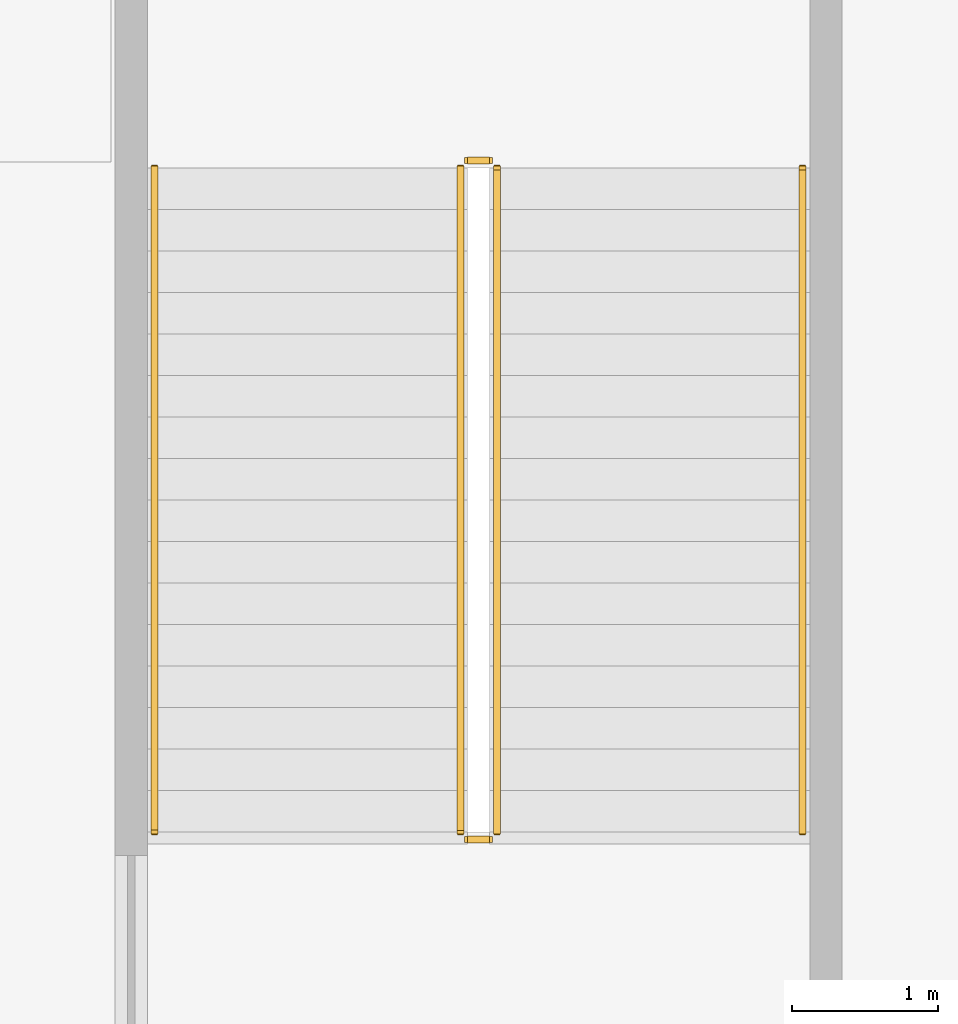
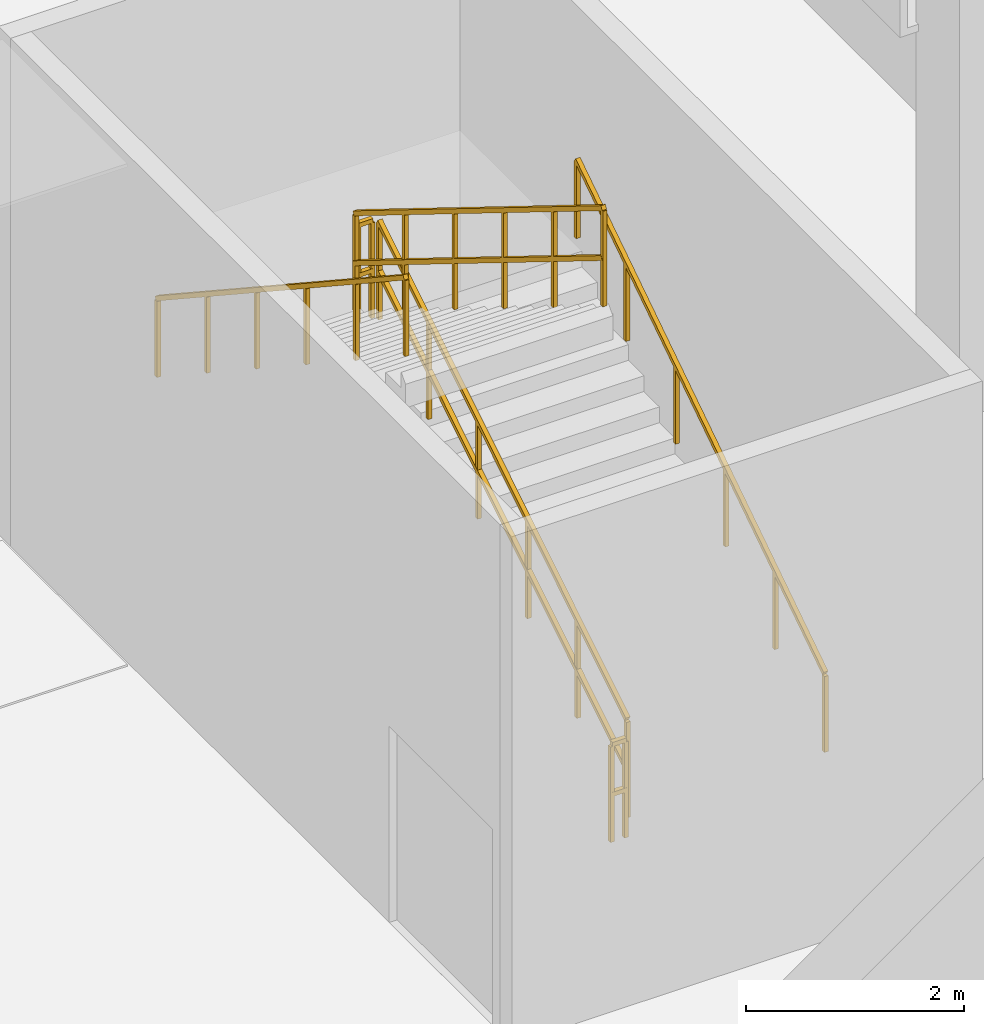
# One storey, part 23 of 25: 6 railings.
"""IFC4 building model written with IfcOpenShell, lengths in metres."""

from ifc_helpers import new_model, si_unit, direction, frame, origin, origin_2d, place, context, subcontext, project, spatial, rectangle, extrude, material, type_object, element, save


model = new_model("IFC4")

# Units and contexts
model_context = context("Model", 3, precision=1e-05, world=origin(), true_north=direction((0.0, 1.0)))
body_context = subcontext(model_context, "Body", "Model", "MODEL_VIEW")
ifc_project = project(units=[si_unit("LENGTHUNIT", "METRE"), si_unit("AREAUNIT", "SQUARE_METRE"), si_unit("VOLUMEUNIT", "CUBIC_METRE"), si_unit("PLANEANGLEUNIT", "RADIAN"), si_unit("MASSUNIT", "GRAM", prefix="KILO")], contexts=[model_context])

# Site, building, storey
site_placement = place(None, origin())
site = spatial("IfcSite", under=ifc_project, at=site_placement, CompositionType="ELEMENT")
building_placement = place(site_placement, origin())
building = spatial("IfcBuilding", under=site, at=building_placement, Name="Apsidion Concourse Tower", CompositionType="ELEMENT")
storey_placement = place(building_placement, frame((0.0, 0.0, 11.5)))
storey = spatial("IfcBuildingStorey", under=building, at=storey_placement, Name="L02", CompositionType="ELEMENT", Elevation=11.5)

# Railings
ifc_material = material(Name="Brushed stainless steel 316", Category="steel")
railing_type_1 = type_object("IfcRailingType", Name="RL-GUARD-1100", PredefinedType="GUARDRAIL", material=ifc_material)
railing_1_placement = place(storey_placement, frame((32.050048828125, -22.60009765625, 0.176513671875)))
element("IfcRailing", 1, at=railing_1_placement, inside=storey, type_object=railing_type_1, Name="L02 ST-P2 stair guard 1", PredefinedType="GUARDRAIL", context=body_context, shape_type="SweptSolid", body=[
    extrude(rectangle(XDim=0.048095703125, YDim=0.048095703125, at=origin_2d()), frame((0.0, 0.0, 1.09619140625), z_axis=(0.0, 0.850215668316, 0.526434532824), x_axis=(-1.0, 0.0, 0.0)), (0.0, 0.0, 1.0), 5.363525390625),
    extrude(rectangle(XDim=0.048095703125, YDim=0.048095703125, at=origin_2d()), frame((0.0, 0.0, 0.5361328125), z_axis=(0.0, 0.850215668316, 0.526434532824), x_axis=(-1.0, 0.0, 0.0)), (0.0, 0.0, 1.0), 5.363525390625),
    extrude(rectangle(XDim=0.0419921875, YDim=0.0419921875, at=origin_2d()), origin(), (0.0, 0.0, 1.0), 1.072021484375),
    extrude(rectangle(XDim=0.0419921875, YDim=0.0419921875, at=origin_2d()), frame((0.0, 0.912109375, 0.564697265625)), (0.0, 0.0, 1.0), 1.072021484375),
    extrude(rectangle(XDim=0.0419921875, YDim=0.0419921875, at=origin_2d()), frame((0.0, 1.823974609375, 1.12939453125)), (0.0, 0.0, 1.0), 1.072021484375),
    extrude(rectangle(XDim=0.0419921875, YDim=0.0419921875, at=origin_2d()), frame((0.0, 2.736083984375, 1.694091796875)), (0.0, 0.0, 1.0), 1.072021484375),
    extrude(rectangle(XDim=0.0419921875, YDim=0.0419921875, at=origin_2d()), frame((0.0, 3.64794921875, 2.2587890625)), (0.0, 0.0, 1.0), 1.072021484375),
    extrude(rectangle(XDim=0.0419921875, YDim=0.0419921875, at=origin_2d()), frame((0.0, 4.56005859375, 2.823486328125)), (0.0, 0.0, 1.0), 1.072021484375),
])
railing_2_placement = place(storey_placement, frame((32.0, -17.989990234375, 3.0)))
element("IfcRailing", 2, at=railing_2_placement, inside=storey, type_object=railing_type_1, Name="L02 ST-P2 stair guard 2", PredefinedType="GUARDRAIL", context=body_context, shape_type="SweptSolid", body=[
    extrude(rectangle(XDim=0.048095703125, YDim=0.048095703125, at=origin_2d()), frame((0.0, 0.0, 1.09619140625), z_axis=(-1.0, 0.0, 0.0), x_axis=(0.0, -1.0, 0.0)), (0.0, 0.0, 1.0), 0.14990234375),
    extrude(rectangle(XDim=0.048095703125, YDim=0.048095703125, at=origin_2d()), frame((0.0, 0.0, 0.5361328125), z_axis=(-1.0, 0.0, 0.0), x_axis=(0.0, -1.0, 0.0)), (0.0, 0.0, 1.0), 0.14990234375),
    extrude(rectangle(XDim=0.0419921875, YDim=0.0419921875, at=origin_2d()), origin(), (0.0, 0.0, 1.0), 1.072021484375),
    extrude(rectangle(XDim=0.0419921875, YDim=0.0419921875, at=origin_2d()), frame((-0.14990234375, 0.0, 0.0)), (0.0, 0.0, 1.0), 1.072021484375),
])
railing_3_placement = place(storey_placement, frame((31.800048828125, -18.0400390625, 3.176513671875)))
element("IfcRailing", 3, at=railing_3_placement, inside=storey, type_object=railing_type_1, Name="L02 ST-P2 stair guard 3", PredefinedType="GUARDRAIL", context=body_context, shape_type="SweptSolid", body=[
    extrude(rectangle(XDim=0.048095703125, YDim=0.048095703125, at=origin_2d()), frame((0.0, 0.0, 1.09619140625), z_axis=(0.0, -0.850215668316, 0.526434532824), x_axis=(1.0, 0.0, 0.0)), (0.0, 0.0, 1.0), 5.363525390625),
    extrude(rectangle(XDim=0.048095703125, YDim=0.048095703125, at=origin_2d()), frame((0.0, 0.0, 0.5361328125), z_axis=(0.0, -0.850215668316, 0.526434532824), x_axis=(1.0, 0.0, 0.0)), (0.0, 0.0, 1.0), 5.363525390625),
    extrude(rectangle(XDim=0.0419921875, YDim=0.0419921875, at=origin_2d()), origin(), (0.0, 0.0, 1.0), 1.072021484375),
    extrude(rectangle(XDim=0.0419921875, YDim=0.0419921875, at=origin_2d()), frame((0.0, -0.912109375, 0.564697265625)), (0.0, 0.0, 1.0), 1.072021484375),
    extrude(rectangle(XDim=0.0419921875, YDim=0.0419921875, at=origin_2d()), frame((0.0, -1.823974609375, 1.12939453125)), (0.0, 0.0, 1.0), 1.072021484375),
    extrude(rectangle(XDim=0.0419921875, YDim=0.0419921875, at=origin_2d()), frame((0.0, -2.736083984375, 1.694091796875)), (0.0, 0.0, 1.0), 1.072021484375),
    extrude(rectangle(XDim=0.0419921875, YDim=0.0419921875, at=origin_2d()), frame((0.0, -3.64794921875, 2.2587890625)), (0.0, 0.0, 1.0), 1.072021484375),
    extrude(rectangle(XDim=0.0419921875, YDim=0.0419921875, at=origin_2d()), frame((0.0, -4.56005859375, 2.823486328125)), (0.0, 0.0, 1.0), 1.072021484375),
])
railing_4_placement = place(storey_placement, frame((32.0, -22.64990234375, 0.0)))
element("IfcRailing", 4, at=railing_4_placement, inside=storey, type_object=railing_type_1, Name="L02 ST-P2 stair guard 4", PredefinedType="GUARDRAIL", context=body_context, shape_type="SweptSolid", body=[
    extrude(rectangle(XDim=0.048095703125, YDim=0.048095703125, at=origin_2d()), frame((0.0, 0.0, 1.09619140625), z_axis=(-1.0, 0.0, 0.0), x_axis=(0.0, -1.0, 0.0)), (0.0, 0.0, 1.0), 0.14990234375),
    extrude(rectangle(XDim=0.048095703125, YDim=0.048095703125, at=origin_2d()), frame((0.0, 0.0, 0.5361328125), z_axis=(-1.0, 0.0, 0.0), x_axis=(0.0, -1.0, 0.0)), (0.0, 0.0, 1.0), 0.14990234375),
    extrude(rectangle(XDim=0.0419921875, YDim=0.0419921875, at=origin_2d()), origin(), (0.0, 0.0, 1.0), 1.072021484375),
    extrude(rectangle(XDim=0.0419921875, YDim=0.0419921875, at=origin_2d()), frame((-0.14990234375, 0.0, 0.0)), (0.0, 0.0, 1.0), 1.072021484375),
])
railing_type_2 = type_object("IfcRailingType", Name="RL-HAND-900", PredefinedType="HANDRAIL", material=ifc_material)
railing_5_placement = place(storey_placement, frame((34.14990234375, -22.60009765625, 0.176513671875)))
element("IfcRailing", 5, at=railing_5_placement, inside=storey, type_object=railing_type_2, Name="L02 ST-P2 stair handrail 1", PredefinedType="HANDRAIL", context=body_context, shape_type="SweptSolid", body=[
    extrude(rectangle(XDim=0.048095703125, YDim=0.048095703125, at=origin_2d()), frame((0.0, 0.0, 0.8759765625), z_axis=(0.0, 0.835420324919, 0.549611572578), x_axis=(-1.0, 0.0, 0.0)), (0.0, 0.0, 1.0), 5.45849609375),
    extrude(rectangle(XDim=0.0419921875, YDim=0.0419921875, at=origin_2d()), origin(), (0.0, 0.0, 1.0), 0.851806640625),
    extrude(rectangle(XDim=0.0419921875, YDim=0.0419921875, at=origin_2d()), frame((0.0, 0.912109375, 0.60009765625)), (0.0, 0.0, 1.0), 0.851806640625),
    extrude(rectangle(XDim=0.0419921875, YDim=0.0419921875, at=origin_2d()), frame((0.0, 1.823974609375, 1.199951171875)), (0.0, 0.0, 1.0), 0.851806640625),
    extrude(rectangle(XDim=0.0419921875, YDim=0.0419921875, at=origin_2d()), frame((0.0, 2.736083984375, 1.800048828125)), (0.0, 0.0, 1.0), 0.851806640625),
    extrude(rectangle(XDim=0.0419921875, YDim=0.0419921875, at=origin_2d()), frame((0.0, 3.64794921875, 2.39990234375)), (0.0, 0.0, 1.0), 0.851806640625),
    extrude(rectangle(XDim=0.0419921875, YDim=0.0419921875, at=origin_2d()), frame((0.0, 4.56005859375, 3.0)), (0.0, 0.0, 1.0), 0.851806640625),
])
railing_6_placement = place(storey_placement, frame((29.699951171875, -18.0400390625, 3.176513671875)))
element("IfcRailing", 6, at=railing_6_placement, inside=storey, type_object=railing_type_2, Name="L02 ST-P2 stair handrail 2", PredefinedType="HANDRAIL", context=body_context, shape_type="SweptSolid", body=[
    extrude(rectangle(XDim=0.048095703125, YDim=0.048095703125, at=origin_2d()), frame((0.0, 0.0, 0.8759765625), z_axis=(0.0, -0.835420324919, 0.549611572578), x_axis=(1.0, 0.0, 0.0)), (0.0, 0.0, 1.0), 5.45849609375),
    extrude(rectangle(XDim=0.0419921875, YDim=0.0419921875, at=origin_2d()), origin(), (0.0, 0.0, 1.0), 0.851806640625),
    extrude(rectangle(XDim=0.0419921875, YDim=0.0419921875, at=origin_2d()), frame((0.0, -0.912109375, 0.60009765625)), (0.0, 0.0, 1.0), 0.851806640625),
    extrude(rectangle(XDim=0.0419921875, YDim=0.0419921875, at=origin_2d()), frame((0.0, -1.823974609375, 1.199951171875)), (0.0, 0.0, 1.0), 0.851806640625),
    extrude(rectangle(XDim=0.0419921875, YDim=0.0419921875, at=origin_2d()), frame((0.0, -2.736083984375, 1.800048828125)), (0.0, 0.0, 1.0), 0.851806640625),
    extrude(rectangle(XDim=0.0419921875, YDim=0.0419921875, at=origin_2d()), frame((0.0, -3.64794921875, 2.39990234375)), (0.0, 0.0, 1.0), 0.851806640625),
    extrude(rectangle(XDim=0.0419921875, YDim=0.0419921875, at=origin_2d()), frame((0.0, -4.56005859375, 3.0)), (0.0, 0.0, 1.0), 0.851806640625),
])

save(model, "model.ifc")
